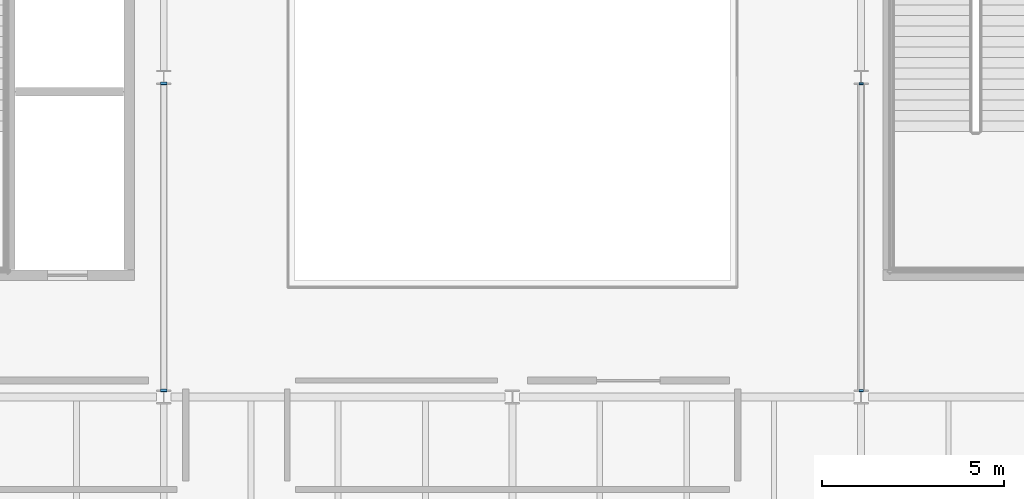
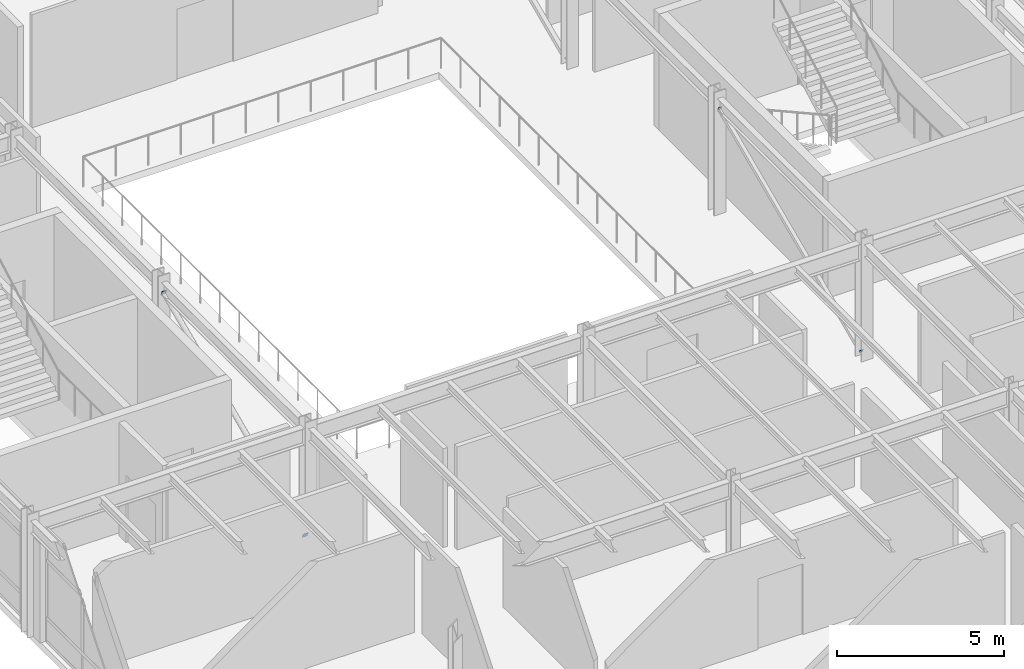
# One storey, part 65 of 88: 4 plates.
"""IFC4 building model written with IfcOpenShell, lengths in metres."""

from ifc_helpers import new_model, si_unit, direction, frame, origin, origin_2d, place, context, subcontext, project, spatial, rectangle, extrude, material, layer, layer_set, type_object, element, save


model = new_model("IFC4")

# Units and contexts
model_context = context("Model", 3, precision=1e-05, world=origin(), true_north=direction((0.0, 1.0)))
body_context = subcontext(model_context, "Body", "Model", "MODEL_VIEW")
ifc_project = project(units=[si_unit("LENGTHUNIT", "METRE"), si_unit("AREAUNIT", "SQUARE_METRE"), si_unit("VOLUMEUNIT", "CUBIC_METRE"), si_unit("PLANEANGLEUNIT", "RADIAN"), si_unit("MASSUNIT", "GRAM", prefix="KILO")], contexts=[model_context])

# Site, building, storey
site_placement = place(None, origin())
site = spatial("IfcSite", under=ifc_project, at=site_placement, CompositionType="ELEMENT")
building_placement = place(site_placement, origin())
building = spatial("IfcBuilding", under=site, at=building_placement, Name="Sarnbrook Museum", CompositionType="ELEMENT")
storey_placement = place(building_placement, frame((0.0, 0.0, 10.10009765625)))
storey = spatial("IfcBuildingStorey", under=building, at=storey_placement, Name="L02", CompositionType="ELEMENT", Elevation=10.10009765625)

# Plates
ifc_material = material(Name="Structural Steel Grade 350L0 (AS/NZS 3678, fy = 340 MPa for 20 < t <= 40 mm)", Category="steel")
ifc_layer_1 = layer(ifc_material, 0.01611328125)
ifc_layer_set_1 = layer_set([ifc_layer_1], Name="Structural Steel Grade 350L0 (AS/NZS 3678, fy = 340 MPa for 20 < t <= 40 mm)")
plate_type_1 = type_object("IfcPlateType", Name="EndCapPlate_CAP125", PredefinedType="USERDEFINED", material=ifc_layer_set_1)
for number, where, z_axis, x_axis, name in (
    (1, (109.60009765625, 56.96533203125, 0.113525390625), (0.0, 0.914658650878, 0.404227104946), (-1.0, 0.0, 0.0), "Hollow End Cap Plate CBF:2:L02-1"),
    (2, (109.60009765625, 65.419921875, 3.849853515625), (0.0, 0.914658650878, 0.404227104946), (-1.0, 0.0, 0.0), "Hollow End Cap Plate CBF:2:L02-2"),
):
    element("IfcPlate", number, at=place(storey_placement, frame(where, z_axis=z_axis, x_axis=x_axis)), inside=storey, type_object=plate_type_1, Name=name, ObjectType="END CAP PLATE", PredefinedType="USERDEFINED", context=body_context, shape_type="SweptSolid", body=[
        extrude(rectangle(XDim=0.125, YDim=0.125, at=origin_2d()), origin(), (0.0, 0.0, 1.0), 0.01611328125),
    ])
ifc_layer_2 = layer(ifc_material, 0.01611328125)
ifc_layer_set_2 = layer_set([ifc_layer_2], Name="Structural Steel Grade 350L0 (AS/NZS 3678, fy = 340 MPa for 20 < t <= 40 mm)")
plate_type_2 = type_object("IfcPlateType", Name="EndCapPlate_CAP168", PredefinedType="USERDEFINED", material=ifc_layer_set_2)
for number, where, z_axis, x_axis, name in (
    (3, (90.39990234375, 56.96533203125, 0.113525390625), (0.0, 0.914658650878, 0.404227104946), (-1.0, 0.0, 0.0), "Hollow End Cap Plate CBF:1:L02-1"),
    (4, (90.39990234375, 65.419921875, 3.849853515625), (0.0, 0.914658650878, 0.404227104946), (-1.0, 0.0, 0.0), "Hollow End Cap Plate CBF:1:L02-2"),
):
    element("IfcPlate", number, at=place(storey_placement, frame(where, z_axis=z_axis, x_axis=x_axis)), inside=storey, type_object=plate_type_2, Name=name, ObjectType="END CAP PLATE", PredefinedType="USERDEFINED", context=body_context, shape_type="SweptSolid", body=[
        extrude(rectangle(XDim=0.175048828125, YDim=0.175048828125, at=origin_2d()), origin(), (0.0, 0.0, 1.0), 0.01611328125),
    ])

save(model, "model.ifc")
